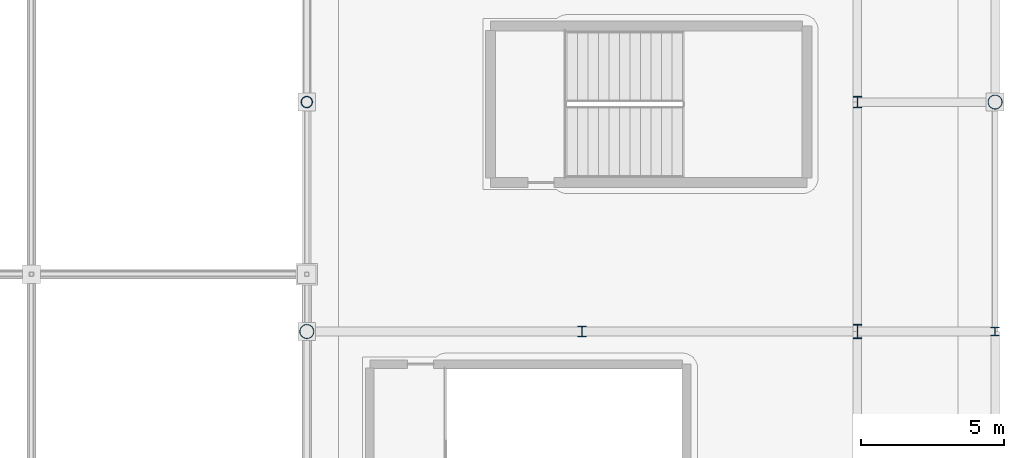
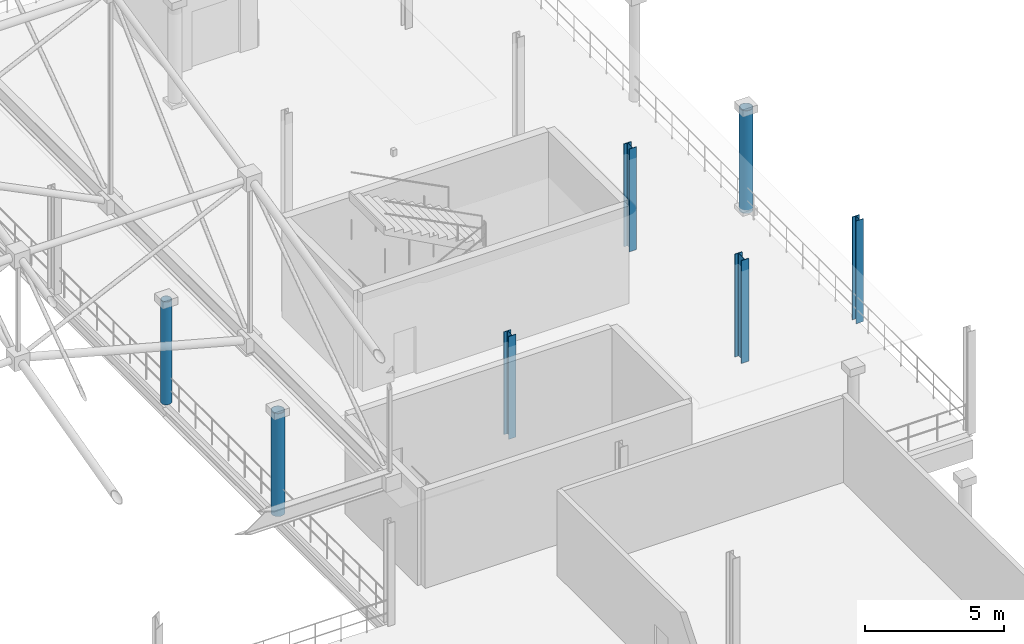
# One storey, part 14 of 193: 7 columns.
"""IFC4 building model written with IfcOpenShell, lengths in metres."""

from ifc_helpers import new_model, si_unit, direction, frame, origin, origin_2d, place, context, subcontext, project, spatial, hollow_circle, i_section, extrude, material, material_profile, profile_set, type_object, element, save


model = new_model("IFC4")

# Units and contexts
model_context = context("Model", 3, precision=1e-05, world=origin(), true_north=direction((0.0, 1.0)))
body_context = subcontext(model_context, "Body", "Model", "MODEL_VIEW")
ifc_project = project(units=[si_unit("LENGTHUNIT", "METRE"), si_unit("AREAUNIT", "SQUARE_METRE"), si_unit("VOLUMEUNIT", "CUBIC_METRE"), si_unit("PLANEANGLEUNIT", "RADIAN"), si_unit("MASSUNIT", "GRAM", prefix="KILO")], contexts=[model_context])

# Site, building, storey
site_placement = place(None, origin())
site = spatial("IfcSite", under=ifc_project, at=site_placement, CompositionType="ELEMENT")
building_placement = place(site_placement, origin())
building = spatial("IfcBuilding", under=site, at=building_placement, Name="Danafjord Basin Convention Centre", CompositionType="ELEMENT")
storey_placement = place(building_placement, frame((0.0, 0.0, 11.39990234375)))
storey = spatial("IfcBuildingStorey", under=building, at=storey_placement, Name="L02", CompositionType="ELEMENT", Elevation=11.39990234375)

# Columns
ifc_material = material(Name="Steel S355", Category="steel")
ifc_material_profile_1 = material_profile(ifc_material, hollow_circle(Radius=0.203125, WallThickness=0.02001953125, at=origin_2d()), Name="CHS 406.4x20.0")
ifc_profile_set_1 = profile_set([ifc_material_profile_1], Name="Steel S355")
column_type_1 = type_object("IfcColumnType", Name="COL-C-CHS406", PredefinedType="COLUMN", material=ifc_profile_set_1)
column_1_placement = place(storey_placement, frame((192.0, 56.0, 0.0), z_axis=(0.0, 0.0, 1.0), x_axis=(1.0, 0.0, 0.0)))
element("IfcColumn", 1, at=column_1_placement, inside=storey, type_object=column_type_1, Name="L02 column C-CHS406 at (192.0, 56.0)", PredefinedType="COLUMN", context=body_context, shape_type="SweptSolid", body=[
    extrude(hollow_circle(Radius=0.203125, WallThickness=0.02001953125, at=origin_2d()), origin(), (0.0, 0.0, 1.0), 4.5),
])
ifc_material_profile_2 = material_profile(ifc_material, hollow_circle(Radius=0.25390625, WallThickness=0.02490234375, at=origin_2d()), Name="CHS 508.0x25.0")
ifc_profile_set_2 = profile_set([ifc_material_profile_2], Name="Steel S355")
column_type_2 = type_object("IfcColumnType", Name="COL-C-CHS508", PredefinedType="COLUMN", material=ifc_profile_set_2)
for number, where, z_axis, x_axis, name in (
    (2, (192.0, 48.0, 0.0), (0.0, 0.0, 1.0), (1.0, 0.0, 0.0), "L02 column C-CHS508 at (192.0, 48.0)"),
    (3, (216.0, 56.0, 0.0), (0.0, 0.0, 1.0), (1.0, 0.0, 0.0), "L02 column C-CHS508 at (216.0, 56.0)"),
):
    element("IfcColumn", number, at=place(storey_placement, frame(where, z_axis=z_axis, x_axis=x_axis)), inside=storey, type_object=column_type_2, Name=name, PredefinedType="COLUMN", context=body_context, shape_type="SweptSolid", body=[
        extrude(hollow_circle(Radius=0.25390625, WallThickness=0.02490234375, at=origin_2d()), origin(), (0.0, 0.0, 1.0), 4.5),
    ])
ifc_material_profile_3 = material_profile(ifc_material, i_section(OverallWidth=0.300048828125, OverallDepth=0.300048828125, WebThickness=0.010986328125, FlangeThickness=0.01904296875, FilletRadius=0.027099609375, at=origin_2d()), Name="HEB 300")
ifc_profile_set_3 = profile_set([ifc_material_profile_3], Name="Steel S355")
column_type_3 = type_object("IfcColumnType", Name="COL-C-HEB300", PredefinedType="COLUMN", material=ifc_profile_set_3)
column_2_placement = place(storey_placement, frame((216.0, 48.0, 0.0), z_axis=(0.0, 0.0, 1.0), x_axis=(1.0, 0.0, 0.0)))
element("IfcColumn", 4, at=column_2_placement, inside=storey, type_object=column_type_3, Name="L02 column C-HEB300 at (216.0, 48.0)", PredefinedType="COLUMN", context=body_context, shape_type="SweptSolid", body=[
    extrude(i_section(OverallWidth=0.300048828125, OverallDepth=0.300048828125, WebThickness=0.010986328125, FlangeThickness=0.01904296875, FilletRadius=0.027099609375, at=origin_2d()), origin(), (0.0, 0.0, 1.0), 4.5),
])
ifc_material_profile_4 = material_profile(ifc_material, i_section(OverallWidth=0.300048828125, OverallDepth=0.360107421875, WebThickness=0.012451171875, FlangeThickness=0.0224609375, FilletRadius=0.027099609375, at=origin_2d()), Name="HEB 360")
ifc_profile_set_4 = profile_set([ifc_material_profile_4], Name="Steel S355")
column_type_4 = type_object("IfcColumnType", Name="COL-C-HEB360", PredefinedType="COLUMN", material=ifc_profile_set_4)
column_3_placement = place(storey_placement, frame((201.60009765625, 48.0, 0.0), z_axis=(0.0, 0.0, 1.0), x_axis=(1.0, 0.0, 0.0)))
element("IfcColumn", 5, at=column_3_placement, inside=storey, type_object=column_type_4, Name="L02 column C-HEB360 at (201.6, 48.0)", PredefinedType="COLUMN", context=body_context, shape_type="SweptSolid", body=[
    extrude(i_section(OverallWidth=0.300048828125, OverallDepth=0.360107421875, WebThickness=0.012451171875, FlangeThickness=0.0224609375, FilletRadius=0.027099609375, at=origin_2d()), origin(), (0.0, 0.0, 1.0), 4.5),
])
ifc_material_profile_5 = material_profile(ifc_material, i_section(OverallWidth=0.300048828125, OverallDepth=0.39990234375, WebThickness=0.013427734375, FlangeThickness=0.02392578125, FilletRadius=0.027099609375, at=origin_2d()), Name="HEB 400")
ifc_profile_set_5 = profile_set([ifc_material_profile_5], Name="Steel S355")
column_type_5 = type_object("IfcColumnType", Name="COL-C-HEB400", PredefinedType="COLUMN", material=ifc_profile_set_5)
column_4_placement = place(storey_placement, frame((211.199951171875, 56.0, 0.0), z_axis=(0.0, 0.0, 1.0), x_axis=(1.0, 0.0, 0.0)))
element("IfcColumn", 6, at=column_4_placement, inside=storey, type_object=column_type_5, Name="L02 column C-HEB400 at (211.2, 56.0)", PredefinedType="COLUMN", context=body_context, shape_type="SweptSolid", body=[
    extrude(i_section(OverallWidth=0.300048828125, OverallDepth=0.39990234375, WebThickness=0.013427734375, FlangeThickness=0.02392578125, FilletRadius=0.027099609375, at=origin_2d()), origin(), (0.0, 0.0, 1.0), 4.5),
])
ifc_material_profile_6 = material_profile(ifc_material, i_section(OverallWidth=0.300048828125, OverallDepth=0.5, WebThickness=0.014404296875, FlangeThickness=0.028076171875, FilletRadius=0.027099609375, at=origin_2d()), Name="HEB 500")
ifc_profile_set_6 = profile_set([ifc_material_profile_6], Name="Steel S355")
column_type_6 = type_object("IfcColumnType", Name="COL-C-HEB500", PredefinedType="COLUMN", material=ifc_profile_set_6)
column_5_placement = place(storey_placement, frame((211.199951171875, 48.0, 0.0), z_axis=(0.0, 0.0, 1.0), x_axis=(1.0, 0.0, 0.0)))
element("IfcColumn", 7, at=column_5_placement, inside=storey, type_object=column_type_6, Name="L02 column C-HEB500 at (211.2, 48.0)", PredefinedType="COLUMN", context=body_context, shape_type="SweptSolid", body=[
    extrude(i_section(OverallWidth=0.300048828125, OverallDepth=0.5, WebThickness=0.014404296875, FlangeThickness=0.028076171875, FilletRadius=0.027099609375, at=origin_2d()), origin(), (0.0, 0.0, 1.0), 4.5),
])

save(model, "model.ifc")
